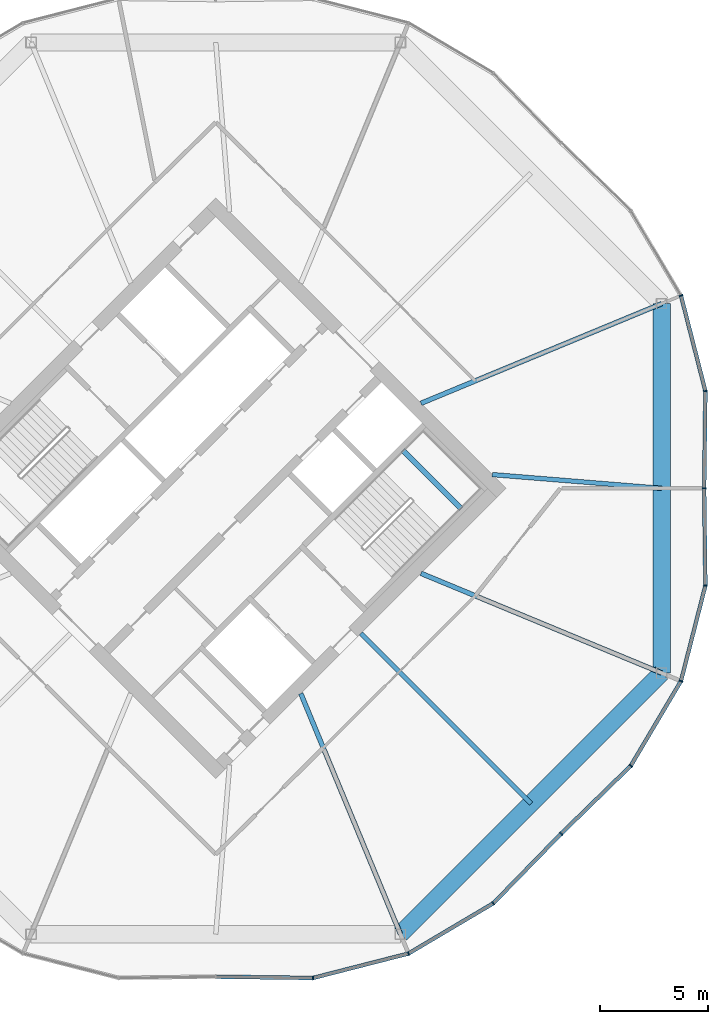
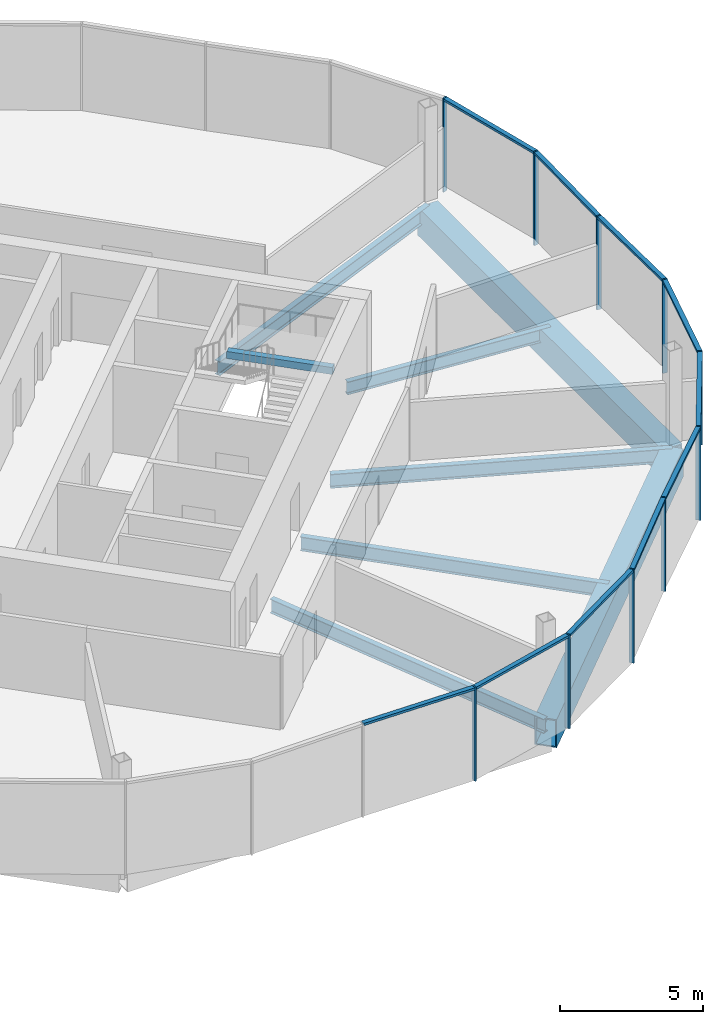
# One storey, part 15 of 26: 20 members, 8 beams, 3 elements without a shape of their own.
"""IFC4 building model written with IfcOpenShell, lengths in metres."""

from ifc_helpers import new_model, si_unit, direction, frame, origin, origin_2d, place, context, subcontext, project, spatial, rectangle, hollow_rectangle, i_section, extrude, material, material_profile, profile_set, type_object, element, aggregate, save


model = new_model("IFC4")

# Units and contexts
model_context = context("Model", 3, precision=1e-05, world=origin(), true_north=direction((0.0, 1.0)))
body_context = subcontext(model_context, "Body", "Model", "MODEL_VIEW")
ifc_project = project(units=[si_unit("LENGTHUNIT", "METRE"), si_unit("AREAUNIT", "SQUARE_METRE"), si_unit("VOLUMEUNIT", "CUBIC_METRE"), si_unit("PLANEANGLEUNIT", "RADIAN"), si_unit("MASSUNIT", "GRAM", prefix="KILO")], contexts=[model_context])

# Site, building, storey
site_placement = place(None, origin())
site = spatial("IfcSite", under=ifc_project, at=site_placement, CompositionType="ELEMENT")
building_placement = place(site_placement, origin())
building = spatial("IfcBuilding", under=site, at=building_placement, Name="Ogive Gate Towers", CompositionType="ELEMENT")
storey_placement = place(building_placement, frame((0.0, 0.0, 148.800048828125)))
storey = spatial("IfcBuildingStorey", under=building, at=storey_placement, Name="L35", CompositionType="ELEMENT", Elevation=148.800048828125)

# Beams
ifc_material_1 = material(Name="Steel SM460", Category="steel")
ifc_material_profile_1 = material_profile(ifc_material_1, hollow_rectangle(XDim=0.800048828125, YDim=1.199951171875, WallThickness=0.050048828125, at=origin_2d()), Name="BX 1200x800x50")
ifc_profile_set_1 = profile_set([ifc_material_profile_1], Name="Steel SM460")
beam_type_1 = type_object("IfcBeamType", Name="Edge girder BX 1200x800x50", PredefinedType="BEAM", material=ifc_profile_set_1)
beam_1_placement = place(storey_placement, frame((44.549072265625, -20.639404296875, -0.900146484375), z_axis=(0.707106781187, 0.707106781187, 0.0), x_axis=(-0.707106781187, 0.707106781187, 0.0)))
element("IfcBeam", 1, at=beam_1_placement, inside=storey, type_object=beam_type_1, Name="T2/L35/SBM019", PredefinedType="BEAM", context=body_context, shape_type="SweptSolid", body=[
    extrude(hollow_rectangle(XDim=0.800048828125, YDim=1.199951171875, WallThickness=0.050048828125, at=origin_2d()), origin(), (0.0, 0.0, 1.0), 17.098388671875),
])
beam_2_placement = place(storey_placement, frame((56.639404296875, -8.549072265625, -0.900146484375), z_axis=(0.0, 1.0, 0.0), x_axis=(-1.0, 0.0, 0.0)))
element("IfcBeam", 2, at=beam_2_placement, inside=storey, type_object=beam_type_1, Name="T2/L35/SBM020", PredefinedType="BEAM", context=body_context, shape_type="SweptSolid", body=[
    extrude(hollow_rectangle(XDim=0.800048828125, YDim=1.199951171875, WallThickness=0.050048828125, at=origin_2d()), origin(), (0.0, 0.0, 1.0), 17.09814453125),
])
ifc_material_2 = material(Name="Concrete C40/50", Category="concrete")
ifc_material_profile_2 = material_profile(ifc_material_2, rectangle(XDim=0.25, YDim=0.300048828125, at=origin_2d()), Name="RC 250x300")
ifc_profile_set_2 = profile_set([ifc_material_profile_2], Name="Concrete C40/50")
beam_type_2 = type_object("IfcBeamType", Name="Landing bearer RC 250x300", PredefinedType="BEAM", material=ifc_profile_set_2)
beam_3_placement = place(storey_placement, frame((47.35888671875, -0.94482421875, 1.64990234375), z_axis=(-0.707138693938, 0.707074866995, 0.0), x_axis=(-0.707074866995, -0.707138693938, 0.0)))
element("IfcBeam", 3, at=beam_3_placement, inside=storey, type_object=beam_type_2, Name="T2 L35 stair 2 landing bearer 1", PredefinedType="BEAM", context=body_context, shape_type="SweptSolid", body=[
    extrude(rectangle(XDim=0.25, YDim=0.300048828125, at=origin_2d()), origin(), (0.0, 0.0, 1.0), 3.824951171875),
])
ifc_material_3 = material(Name="Steel SM355", Category="steel")
ifc_material_profile_3 = material_profile(ifc_material_3, i_section(OverallWidth=0.2099609375, OverallDepth=0.550048828125, WebThickness=0.010986328125, FlangeThickness=0.01708984375, FilletRadius=0.02392578125, at=origin_2d()), Name="IPE 550")
ifc_profile_set_3 = profile_set([ifc_material_profile_3], Name="Steel SM355")
beam_type_3 = type_object("IfcBeamType", Name="Radial floor beam IPE 550", PredefinedType="BEAM", material=ifc_profile_set_3)
beam_4_placement = place(storey_placement, frame((48.798583984375, 0.636474609375, -0.574951171875), z_axis=(0.996721544062, -0.080908365468, 0.0), x_axis=(0.080908365468, 0.996721544062, 0.0)))
element("IfcBeam", 4, at=beam_4_placement, inside=storey, type_object=beam_type_3, Name="T2/L35/SBM008", PredefinedType="BEAM", context=body_context, shape_type="SweptSolid", body=[
    extrude(i_section(OverallWidth=0.2099609375, OverallDepth=0.550048828125, WebThickness=0.010986328125, FlangeThickness=0.01708984375, FilletRadius=0.02392578125, at=origin_2d()), origin(), (0.0, 0.0, 1.0), 7.86669921875),
])
ifc_material_profile_4 = material_profile(ifc_material_3, i_section(OverallWidth=0.219970703125, OverallDepth=0.60009765625, WebThickness=0.011962890625, FlangeThickness=0.01904296875, FilletRadius=0.02392578125, at=origin_2d()), Name="IPE 600")
ifc_profile_set_4 = profile_set([ifc_material_profile_4], Name="Steel SM355")
beam_type_4 = type_object("IfcBeamType", Name="Radial floor beam IPE 600", PredefinedType="BEAM", material=ifc_profile_set_4)
beam_5_placement = place(storey_placement, frame((39.93505859375, -9.5, -0.60009765625), z_axis=(0.382677863518, -0.923881839184, 0.0), x_axis=(0.923881839184, 0.382677863518, 0.0)))
element("IfcBeam", 5, at=beam_5_placement, inside=storey, type_object=beam_type_4, Name="T2/L35/SBM005", PredefinedType="BEAM", context=body_context, shape_type="SweptSolid", body=[
    extrude(i_section(OverallWidth=0.219970703125, OverallDepth=0.60009765625, WebThickness=0.011962890625, FlangeThickness=0.01904296875, FilletRadius=0.02392578125, at=origin_2d()), origin(), (0.0, 0.0, 1.0), 12.05712890625),
])
beam_6_placement = place(storey_placement, frame((42.717529296875, -6.717529296875, -0.60009765625), z_axis=(0.707106781187, -0.707106781187, 0.0), x_axis=(0.707106781187, 0.707106781187, 0.0)))
element("IfcBeam", 6, at=beam_6_placement, inside=storey, type_object=beam_type_4, Name="T2/L35/SBM006", PredefinedType="BEAM", context=body_context, shape_type="SweptSolid", body=[
    extrude(i_section(OverallWidth=0.219970703125, OverallDepth=0.60009765625, WebThickness=0.011962890625, FlangeThickness=0.01904296875, FilletRadius=0.02392578125, at=origin_2d()), origin(), (0.0, 0.0, 1.0), 11.139404296875),
])
for number, where, z_axis, x_axis, name in (
    (7, (45.5, -3.93505859375, -0.60009765625), (0.923881839184, -0.382677863518, 0.0), (0.382677863518, 0.923881839184, 0.0), "T2/L35/SBM007"),
    (8, (45.5, 3.93505859375, -0.60009765625), (0.923881839184, 0.382677863518, 0.0), (-0.382677863518, 0.923881839184, 0.0), "T2/L35/SBM009"),
):
    element("IfcBeam", number, at=place(storey_placement, frame(where, z_axis=z_axis, x_axis=x_axis)), inside=storey, type_object=beam_type_4, Name=name, PredefinedType="BEAM", context=body_context, shape_type="SweptSolid", body=[
        extrude(i_section(OverallWidth=0.219970703125, OverallDepth=0.60009765625, WebThickness=0.011962890625, FlangeThickness=0.01904296875, FilletRadius=0.02392578125, at=origin_2d()), origin(), (0.0, 0.0, 1.0), 12.05712890625),
    ])

# Curtain wall, members
ifc_material_4 = material(Name="Pale metal aluminium", Category="aluminium")
curtain_wall_type = type_object("IfcCurtainWallType", Name="Tower unitised wall, high zone", PredefinedType="NOTDEFINED", material=ifc_material_4)
curtain_wall_1_placement = place(storey_placement, origin())
curtain_wall_1 = element("IfcCurtainWall", 9, at=curtain_wall_1_placement, inside=storey, type_object=curtain_wall_type, Name="CW2 T2 ECW01", PredefinedType="NOTDEFINED")
ifc_material_profile_5 = material_profile(ifc_material_4, rectangle(XDim=0.179931640625, YDim=0.06005859375, at=origin_2d()), Name="60 x 180 aluminium box")
ifc_profile_set_5 = profile_set([ifc_material_profile_5], Name="Pale metal aluminium")
member_type_1 = type_object("IfcMemberType", Name="Tower unitised wall, high zone mullion 60 x 180", PredefinedType="MULLION", material=ifc_profile_set_5)
member_1_placement = place(storey_placement, frame((58.610107421875, 0.0, -0.300048828125), z_axis=(0.0, 0.0, 1.0), x_axis=(0.999917720156, -0.012827818167, 0.0)))
member_1 = element("IfcMember", 10, at=member_1_placement, type_object=member_type_1, Name="CW2 mullion", PredefinedType="MULLION", context=body_context, shape_type="SweptSolid", body=[
    extrude(rectangle(XDim=0.179931640625, YDim=0.06005859375, at=origin_2d()), origin(), (0.0, 0.0, 1.0), 4.0),
])
member_2_placement = place(storey_placement, frame((58.66796875, 4.501708984375, -0.300048828125), z_axis=(0.0, 0.0, 1.0), x_axis=(0.992940687859, 0.118611931918, 0.0)))
member_2 = element("IfcMember", 11, at=member_2_placement, type_object=member_type_1, Name="CW2 mullion", PredefinedType="MULLION", context=body_context, shape_type="SweptSolid", body=[
    extrude(rectangle(XDim=0.179931640625, YDim=0.06005859375, at=origin_2d()), origin(), (0.0, 0.0, 1.0), 4.0),
])
member_3_placement = place(storey_placement, frame((57.53662109375, 8.9208984375, -0.300048828125), z_axis=(0.0, 0.0, 1.0), x_axis=(0.923879532511, 0.382683432365, 0.0)))
member_3 = element("IfcMember", 12, at=member_3_placement, type_object=member_type_1, Name="CW2 mullion", PredefinedType="MULLION", context=body_context, shape_type="SweptSolid", body=[
    extrude(rectangle(XDim=0.179931640625, YDim=0.06005859375, at=origin_2d()), origin(), (0.0, 0.0, 1.0), 4.0),
])

curtain_wall_2_placement = place(storey_placement, origin())
curtain_wall_2 = element("IfcCurtainWall", 13, at=curtain_wall_2_placement, inside=storey, type_object=curtain_wall_type, Name="CW2 T2 ECW07", PredefinedType="NOTDEFINED")
member_4_placement = place(storey_placement, frame((40.501708984375, -22.66796875, -0.300048828125), z_axis=(0.0, 0.0, 1.0), x_axis=(0.118611931918, -0.992940687859, 0.0)))
member_4 = element("IfcMember", 14, at=member_4_placement, type_object=member_type_1, Name="CW2 mullion", PredefinedType="MULLION", context=body_context, shape_type="SweptSolid", body=[
    extrude(rectangle(XDim=0.179931640625, YDim=0.06005859375, at=origin_2d()), origin(), (0.0, 0.0, 1.0), 4.0),
])
member_5_placement = place(storey_placement, frame((44.9208984375, -21.53662109375, -0.300048828125), z_axis=(0.0, 0.0, 1.0), x_axis=(0.382683432365, -0.923879532511, 0.0)))
member_5 = element("IfcMember", 15, at=member_5_placement, type_object=member_type_1, Name="CW2 mullion", PredefinedType="MULLION", context=body_context, shape_type="SweptSolid", body=[
    extrude(rectangle(XDim=0.179931640625, YDim=0.06005859375, at=origin_2d()), origin(), (0.0, 0.0, 1.0), 4.0),
])
member_6_placement = place(storey_placement, frame((48.845458984375, -19.2119140625, -0.300048828125), z_axis=(0.0, 0.0, 1.0), x_axis=(0.618230074168, -0.78599718536, 0.0)))
member_6 = element("IfcMember", 16, at=member_6_placement, type_object=member_type_1, Name="CW2 mullion", PredefinedType="MULLION", context=body_context, shape_type="SweptSolid", body=[
    extrude(rectangle(XDim=0.179931640625, YDim=0.06005859375, at=origin_2d()), origin(), (0.0, 0.0, 1.0), 4.0),
])
member_7_placement = place(storey_placement, frame((51.987548828125, -15.98779296875, -0.300048828125), z_axis=(0.0, 0.0, 1.0), x_axis=(0.716119237764, -0.697977963337, 0.0)))
member_7 = element("IfcMember", 17, at=member_7_placement, type_object=member_type_1, Name="CW2 mullion", PredefinedType="MULLION", context=body_context, shape_type="SweptSolid", body=[
    extrude(rectangle(XDim=0.179931640625, YDim=0.06005859375, at=origin_2d()), origin(), (0.0, 0.0, 1.0), 4.0),
])

curtain_wall_3_placement = place(storey_placement, origin())
curtain_wall_3 = element("IfcCurtainWall", 18, at=curtain_wall_3_placement, inside=storey, type_object=curtain_wall_type, Name="CW2 T2 ECW08", PredefinedType="NOTDEFINED")
member_8_placement = place(storey_placement, frame((55.2119140625, -12.845458984375, -0.300048828125), z_axis=(0.0, 0.0, 1.0), x_axis=(0.78599718536, -0.618230074168, 0.0)))
member_8 = element("IfcMember", 19, at=member_8_placement, type_object=member_type_1, Name="CW2 mullion", PredefinedType="MULLION", context=body_context, shape_type="SweptSolid", body=[
    extrude(rectangle(XDim=0.179931640625, YDim=0.06005859375, at=origin_2d()), origin(), (0.0, 0.0, 1.0), 4.0),
])
member_9_placement = place(storey_placement, frame((57.53662109375, -8.9208984375, -0.300048828125), z_axis=(0.0, 0.0, 1.0), x_axis=(0.923879532511, -0.382683432365, 0.0)))
member_9 = element("IfcMember", 20, at=member_9_placement, type_object=member_type_1, Name="CW2 mullion", PredefinedType="MULLION", context=body_context, shape_type="SweptSolid", body=[
    extrude(rectangle(XDim=0.179931640625, YDim=0.06005859375, at=origin_2d()), origin(), (0.0, 0.0, 1.0), 4.0),
])
member_10_placement = place(storey_placement, frame((58.66796875, -4.501708984375, -0.300048828125), z_axis=(0.0, 0.0, 1.0), x_axis=(0.992940687859, -0.118611931918, 0.0)))
member_10 = element("IfcMember", 21, at=member_10_placement, type_object=member_type_1, Name="CW2 mullion", PredefinedType="MULLION", context=body_context, shape_type="SweptSolid", body=[
    extrude(rectangle(XDim=0.179931640625, YDim=0.06005859375, at=origin_2d()), origin(), (0.0, 0.0, 1.0), 4.0),
])

# Member
ifc_material_profile_6 = material_profile(ifc_material_4, rectangle(XDim=0.179931640625, YDim=0.10009765625, at=origin_2d()), Name="100 x 180 aluminium box")
ifc_profile_set_6 = profile_set([ifc_material_profile_6], Name="Pale metal aluminium")
member_type_2 = type_object("IfcMemberType", Name="Tower unitised wall, high zone transom 100 x 180", PredefinedType="USERDEFINED", material=ifc_profile_set_6)
member_11_placement = place(storey_placement, frame((58.6103515625, 0.030029296875, 3.64990234375), z_axis=(0.012857492984, 0.999917339021, 0.0), x_axis=(-0.999917339021, 0.012857492984, 0.0)))
member_11 = element("IfcMember", 22, at=member_11_placement, type_object=member_type_2, Name="CW2 transom", ObjectType="TRANSOM", PredefinedType="USERDEFINED", context=body_context, shape_type="SweptSolid", body=[
    extrude(rectangle(XDim=0.179931640625, YDim=0.10009765625, at=origin_2d()), origin(), (0.0, 0.0, 1.0), 4.443359375),
])

member_12_placement = place(storey_placement, frame((58.66064453125, 4.529541015625, 3.64990234375), z_axis=(-0.247977586132, 0.968765769821, 0.0), x_axis=(-0.968765769821, -0.247977586132, 0.0)))
member_12 = element("IfcMember", 23, at=member_12_placement, type_object=member_type_2, Name="CW2 transom", ObjectType="TRANSOM", PredefinedType="USERDEFINED", context=body_context, shape_type="SweptSolid", body=[
    extrude(rectangle(XDim=0.179931640625, YDim=0.10009765625, at=origin_2d()), origin(), (0.0, 0.0, 1.0), 4.504150390625),
])

aggregate(curtain_wall_1, [member_1, member_2, member_11, member_3, member_12])

member_13_placement = place(storey_placement, frame((36.030029296875, -22.6103515625, 3.64990234375), z_axis=(0.999917339021, -0.012857492984, 0.0), x_axis=(0.012857492984, 0.999917339021, 0.0)))
member_13 = element("IfcMember", 24, at=member_13_placement, type_object=member_type_2, Name="CW2 transom", ObjectType="TRANSOM", PredefinedType="USERDEFINED", context=body_context, shape_type="SweptSolid", body=[
    extrude(rectangle(XDim=0.179931640625, YDim=0.10009765625, at=origin_2d()), origin(), (0.0, 0.0, 1.0), 4.443359375),
])

member_14_placement = place(storey_placement, frame((40.529541015625, -22.66064453125, 3.64990234375), z_axis=(0.968765769821, 0.247977586132, 0.0), x_axis=(-0.247977586132, 0.968765769821, 0.0)))
member_14 = element("IfcMember", 25, at=member_14_placement, type_object=member_type_2, Name="CW2 transom", ObjectType="TRANSOM", PredefinedType="USERDEFINED", context=body_context, shape_type="SweptSolid", body=[
    extrude(rectangle(XDim=0.179931640625, YDim=0.10009765625, at=origin_2d()), origin(), (0.0, 0.0, 1.0), 4.504150390625),
])

member_15_placement = place(storey_placement, frame((44.9453125, -21.52197265625, 3.64990234375), z_axis=(0.860382203053, 0.509649354625, 0.0), x_axis=(-0.509649354625, 0.860382203053, 0.0)))
member_15 = element("IfcMember", 26, at=member_15_placement, type_object=member_type_2, Name="CW2 transom", ObjectType="TRANSOM", PredefinedType="USERDEFINED", context=body_context, shape_type="SweptSolid", body=[
    extrude(rectangle(XDim=0.179931640625, YDim=0.10009765625, at=origin_2d()), origin(), (0.0, 0.0, 1.0), 4.50439453125),
])

member_16_placement = place(storey_placement, frame((48.865478515625, -19.191162109375, 3.64990234375), z_axis=(0.697982523024, 0.716114793558, 0.0), x_axis=(-0.716114793558, 0.697982523024, 0.0)))
member_16 = element("IfcMember", 27, at=member_16_placement, type_object=member_type_2, Name="CW2 transom", ObjectType="TRANSOM", PredefinedType="USERDEFINED", context=body_context, shape_type="SweptSolid", body=[
    extrude(rectangle(XDim=0.179931640625, YDim=0.10009765625, at=origin_2d()), origin(), (0.0, 0.0, 1.0), 4.443359375),
])

aggregate(curtain_wall_2, [member_4, member_13, member_5, member_14, member_6, member_15, member_7, member_16])

member_17_placement = place(storey_placement, frame((52.00927734375, -15.966796875, 3.64990234375), z_axis=(0.716114793558, 0.697982523024, 0.0), x_axis=(-0.697982523024, 0.716114793558, 0.0)))
member_17 = element("IfcMember", 28, at=member_17_placement, type_object=member_type_2, Name="CW2 transom", ObjectType="TRANSOM", PredefinedType="USERDEFINED", context=body_context, shape_type="SweptSolid", body=[
    extrude(rectangle(XDim=0.179931640625, YDim=0.10009765625, at=origin_2d()), origin(), (0.0, 0.0, 1.0), 4.443359375),
])

member_18_placement = place(storey_placement, frame((55.226318359375, -12.82080078125, 3.64990234375), z_axis=(0.509649354625, 0.860382203053, 0.0), x_axis=(-0.860382203053, 0.509649354625, 0.0)))
member_18 = element("IfcMember", 29, at=member_18_placement, type_object=member_type_2, Name="CW2 transom", ObjectType="TRANSOM", PredefinedType="USERDEFINED", context=body_context, shape_type="SweptSolid", body=[
    extrude(rectangle(XDim=0.179931640625, YDim=0.10009765625, at=origin_2d()), origin(), (0.0, 0.0, 1.0), 4.50439453125),
])

member_19_placement = place(storey_placement, frame((57.543701171875, -8.89306640625, 3.64990234375), z_axis=(0.247977586132, 0.968765769821, 0.0), x_axis=(-0.968765769821, 0.247977586132, 0.0)))
member_19 = element("IfcMember", 30, at=member_19_placement, type_object=member_type_2, Name="CW2 transom", ObjectType="TRANSOM", PredefinedType="USERDEFINED", context=body_context, shape_type="SweptSolid", body=[
    extrude(rectangle(XDim=0.179931640625, YDim=0.10009765625, at=origin_2d()), origin(), (0.0, 0.0, 1.0), 4.504150390625),
])

member_20_placement = place(storey_placement, frame((58.66748046875, -4.472900390625, 3.64990234375), z_axis=(-0.012857492984, 0.999917339021, 0.0), x_axis=(-0.999917339021, -0.012857492984, 0.0)))
member_20 = element("IfcMember", 31, at=member_20_placement, type_object=member_type_2, Name="CW2 transom", ObjectType="TRANSOM", PredefinedType="USERDEFINED", context=body_context, shape_type="SweptSolid", body=[
    extrude(rectangle(XDim=0.179931640625, YDim=0.10009765625, at=origin_2d()), origin(), (0.0, 0.0, 1.0), 4.443359375),
])

aggregate(curtain_wall_3, [member_8, member_17, member_9, member_18, member_10, member_19, member_20])

save(model, "model.ifc")
